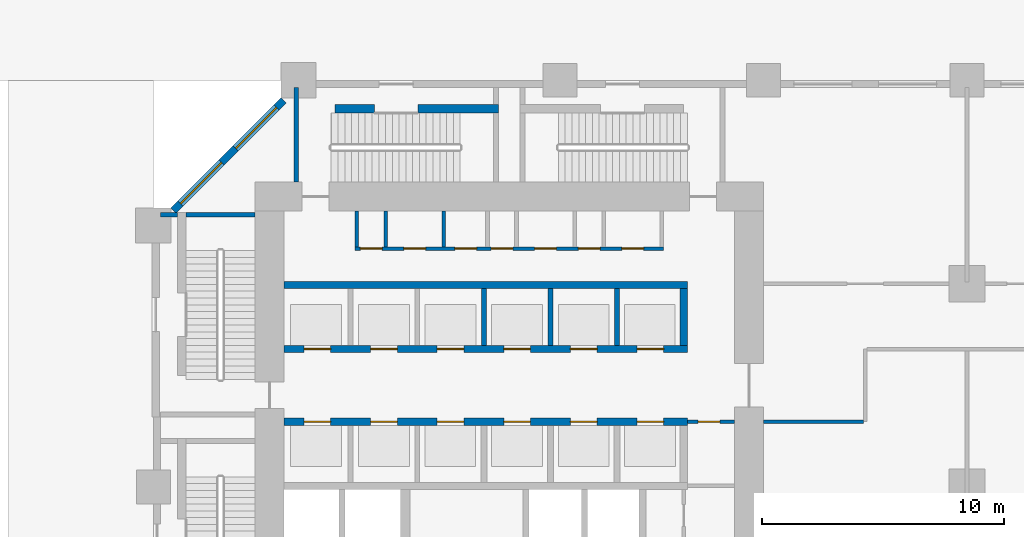
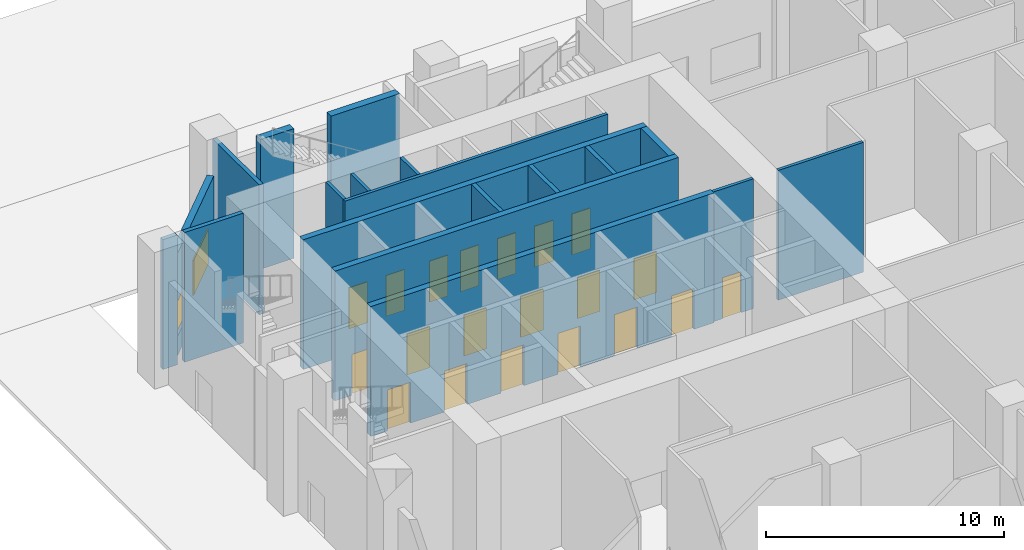
# One storey, part 19 of 32: 20 doors, 19 walls, 2 windows, 22 openings.
"""IFC4 building model written with IfcOpenShell, lengths in metres."""

from ifc_helpers import new_model, si_unit, direction, frame, frame_2d, origin, place, context, subcontext, project, spatial, rectangle, extrude, material, layer, layer_set, type_object, element, fill, save


model = new_model("IFC4")

# Units and contexts
model_context = context("Model", 3, precision=1e-05, world=origin(), true_north=direction((0.0, 1.0)))
body_context = subcontext(model_context, "Body", "Model", "MODEL_VIEW")
ifc_project = project(units=[si_unit("LENGTHUNIT", "METRE"), si_unit("AREAUNIT", "SQUARE_METRE"), si_unit("VOLUMEUNIT", "CUBIC_METRE"), si_unit("PLANEANGLEUNIT", "RADIAN"), si_unit("MASSUNIT", "GRAM", prefix="KILO")], contexts=[model_context])

# Site, building, storey
site_placement = place(None, origin())
site = spatial("IfcSite", under=ifc_project, at=site_placement, CompositionType="ELEMENT")
building_placement = place(site_placement, origin())
building = spatial("IfcBuilding", under=site, at=building_placement, Name="Kawkab Arch Medical Tower", CompositionType="ELEMENT")
storey_placement = place(building_placement, origin())
storey = spatial("IfcBuildingStorey", under=building, at=storey_placement, Name="L01", CompositionType="ELEMENT", Elevation=0.0)

# Wall, opening, door
ifc_material_1 = material(Name="Gypsum board on steel studs", Category="steel")
ifc_layer_1 = layer(ifc_material_1, 0.14990234375)
ifc_layer_set_1 = layer_set([ifc_layer_1], Name="Gypsum board on steel studs")
wall_type_1 = type_object("IfcWallType", Name="Core room partition 150", PredefinedType="PARTITIONING", material=ifc_layer_set_1)
wall_1_placement = place(storey_placement, frame((22.050048828125, -14.10009765625, 0.0), z_axis=(0.0, 0.0, 1.0), x_axis=(1.0, 0.0, 0.0)))
wall_1 = element("IfcWall", 1, at=wall_1_placement, inside=storey, type_object=wall_type_1, Name="L01 core room partition", PredefinedType="PARTITIONING", context=body_context, shape_type="SweptSolid", body=[
    extrude(rectangle(XDim=1.949951171875, YDim=0.14990234375, at=frame_2d((0.97509765625, 0.0))), origin(), (0.0, 0.0, 1.0), 6.64990234375),
])
opening_1_placement = place(wall_1_placement, frame((0.449951171875, 0.0, 0.0)))
opening_1 = element("IfcOpeningElement", 2, at=opening_1_placement, cuts=wall_1, Name="Opening RD", PredefinedType="OPENING", context=body_context, shape_type="SweptSolid", body=[
    extrude(rectangle(XDim=0.89990234375, YDim=2.10009765625, at=frame_2d((0.449951171875, 1.050048828125))), frame((0.0, 0.0849609375, 0.0), z_axis=(0.0, -1.0, 0.0), x_axis=(1.0, 0.0, 0.0)), (0.0, 0.0, 1.0), 0.169921875),
])
ifc_material_2 = material(Name="Hollow metal fire door leaf")
door_type_1 = type_object("IfcDoorType", Name="Core room door 900", OperationType="SINGLE_SWING_LEFT", PredefinedType="DOOR", material=ifc_material_2)
door_1_placement = place(opening_1_placement, origin())
door_1 = element("IfcDoor", 3, at=door_1_placement, inside=storey, type_object=door_type_1, Name="L01 Linen store door", OperationType="SINGLE_SWING_LEFT", OverallHeight=2.10009765625, OverallWidth=0.89990234375, PredefinedType="DOOR", context=body_context, shape_type="SweptSolid", body=[
    extrude(rectangle(XDim=0.89990234375, YDim=2.10009765625, at=frame_2d((0.449951171875, 1.050048828125))), frame((0.0, 0.02490234375, 0.0), z_axis=(0.0, -1.0, 0.0), x_axis=(1.0, 0.0, 0.0)), (0.0, 0.0, 1.0), 0.050048828125),
])
fill(opening_1, door_1)

# Wall, openings, doors
wall_2_placement = place(storey_placement, frame((8.324951171875, -6.949951171875, 0.0), z_axis=(0.0, 0.0, 1.0), x_axis=(1.0, 0.0, 0.0)))
wall_2 = element("IfcWall", 4, at=wall_2_placement, inside=storey, type_object=wall_type_1, Name="L01 core room partition", PredefinedType="PARTITIONING", context=body_context, shape_type="SweptSolid", body=[
    extrude(rectangle(XDim=12.75, YDim=0.14990234375, at=frame_2d((6.375, 0.0))), origin(), (0.0, 0.0, 1.0), 6.64990234375),
])
opening_2_placement = place(wall_2_placement, frame((0.22509765625, 0.0, 0.0)))
opening_2 = element("IfcOpeningElement", 5, at=opening_2_placement, cuts=wall_2, Name="Opening RD", PredefinedType="OPENING", context=body_context, shape_type="SweptSolid", body=[
    extrude(rectangle(XDim=0.89990234375, YDim=2.10009765625, at=frame_2d((0.449951171875, 1.050048828125))), frame((0.0, 0.0849609375, 0.0), z_axis=(0.0, -1.0, 0.0), x_axis=(1.0, 0.0, 0.0)), (0.0, 0.0, 1.0), 0.169921875),
])
opening_3_placement = place(wall_2_placement, frame((2.02490234375, 0.0, 0.0)))
opening_3 = element("IfcOpeningElement", 6, at=opening_3_placement, cuts=wall_2, Name="Opening RD", PredefinedType="OPENING", context=body_context, shape_type="SweptSolid", body=[
    extrude(rectangle(XDim=0.89990234375, YDim=2.10009765625, at=frame_2d((0.449951171875, 1.050048828125))), frame((0.0, 0.0849609375, 0.0), z_axis=(0.0, -1.0, 0.0), x_axis=(1.0, 0.0, 0.0)), (0.0, 0.0, 1.0), 0.169921875),
])
opening_4_placement = place(wall_2_placement, frame((4.125, 0.0, 0.0)))
opening_4 = element("IfcOpeningElement", 7, at=opening_4_placement, cuts=wall_2, Name="Opening RD", PredefinedType="OPENING", context=body_context, shape_type="SweptSolid", body=[
    extrude(rectangle(XDim=0.89990234375, YDim=2.10009765625, at=frame_2d((0.449951171875, 1.050048828125))), frame((0.0, 0.0849609375, 0.0), z_axis=(0.0, -1.0, 0.0), x_axis=(1.0, 0.0, 0.0)), (0.0, 0.0, 1.0), 0.169921875),
])
opening_5_placement = place(wall_2_placement, frame((5.625, 0.0, 0.0)))
opening_5 = element("IfcOpeningElement", 8, at=opening_5_placement, cuts=wall_2, Name="Opening RD", PredefinedType="OPENING", context=body_context, shape_type="SweptSolid", body=[
    extrude(rectangle(XDim=0.89990234375, YDim=2.10009765625, at=frame_2d((0.449951171875, 1.050048828125))), frame((0.0, 0.0849609375, 0.0), z_axis=(0.0, -1.0, 0.0), x_axis=(1.0, 0.0, 0.0)), (0.0, 0.0, 1.0), 0.169921875),
])
opening_6_placement = place(wall_2_placement, frame((7.425048828125, 0.0, 0.0)))
opening_6 = element("IfcOpeningElement", 9, at=opening_6_placement, cuts=wall_2, Name="Opening RD", PredefinedType="OPENING", context=body_context, shape_type="SweptSolid", body=[
    extrude(rectangle(XDim=0.89990234375, YDim=2.10009765625, at=frame_2d((0.449951171875, 1.050048828125))), frame((0.0, 0.0849609375, 0.0), z_axis=(0.0, -1.0, 0.0), x_axis=(1.0, 0.0, 0.0)), (0.0, 0.0, 1.0), 0.169921875),
])
opening_7_placement = place(wall_2_placement, frame((9.22509765625, 0.0, 0.0)))
opening_7 = element("IfcOpeningElement", 10, at=opening_7_placement, cuts=wall_2, Name="Opening RD", PredefinedType="OPENING", context=body_context, shape_type="SweptSolid", body=[
    extrude(rectangle(XDim=0.89990234375, YDim=2.10009765625, at=frame_2d((0.449951171875, 1.050048828125))), frame((0.0, 0.0849609375, 0.0), z_axis=(0.0, -1.0, 0.0), x_axis=(1.0, 0.0, 0.0)), (0.0, 0.0, 1.0), 0.169921875),
])
opening_8_placement = place(wall_2_placement, frame((11.02490234375, 0.0, 0.0)))
opening_8 = element("IfcOpeningElement", 11, at=opening_8_placement, cuts=wall_2, Name="Opening RD", PredefinedType="OPENING", context=body_context, shape_type="SweptSolid", body=[
    extrude(rectangle(XDim=0.89990234375, YDim=2.10009765625, at=frame_2d((0.449951171875, 1.050048828125))), frame((0.0, 0.0849609375, 0.0), z_axis=(0.0, -1.0, 0.0), x_axis=(1.0, 0.0, 0.0)), (0.0, 0.0, 1.0), 0.169921875),
])
door_2_placement = place(opening_2_placement, origin())
door_2 = element("IfcDoor", 12, at=door_2_placement, inside=storey, type_object=door_type_1, Name="L01 Electrical riser room door", OperationType="SINGLE_SWING_LEFT", OverallHeight=2.10009765625, OverallWidth=0.89990234375, PredefinedType="DOOR", context=body_context, shape_type="SweptSolid", body=[
    extrude(rectangle(XDim=0.89990234375, YDim=2.10009765625, at=frame_2d((0.449951171875, 1.050048828125))), frame((0.0, 0.02490234375, 0.0), z_axis=(0.0, -1.0, 0.0), x_axis=(1.0, 0.0, 0.0)), (0.0, 0.0, 1.0), 0.050048828125),
])
fill(opening_2, door_2)
door_3_placement = place(opening_3_placement, origin())
door_3 = element("IfcDoor", 13, at=door_3_placement, inside=storey, type_object=door_type_1, Name="L01 Comms room door", OperationType="SINGLE_SWING_LEFT", OverallHeight=2.10009765625, OverallWidth=0.89990234375, PredefinedType="DOOR", context=body_context, shape_type="SweptSolid", body=[
    extrude(rectangle(XDim=0.89990234375, YDim=2.10009765625, at=frame_2d((0.449951171875, 1.050048828125))), frame((0.0, 0.02490234375, 0.0), z_axis=(0.0, -1.0, 0.0), x_axis=(1.0, 0.0, 0.0)), (0.0, 0.0, 1.0), 0.050048828125),
])
fill(opening_3, door_3)
door_4_placement = place(opening_4_placement, origin())
door_4 = element("IfcDoor", 14, at=door_4_placement, inside=storey, type_object=door_type_1, Name="L01 Medical gas plant room door", OperationType="SINGLE_SWING_LEFT", OverallHeight=2.10009765625, OverallWidth=0.89990234375, PredefinedType="DOOR", context=body_context, shape_type="SweptSolid", body=[
    extrude(rectangle(XDim=0.89990234375, YDim=2.10009765625, at=frame_2d((0.449951171875, 1.050048828125))), frame((0.0, 0.02490234375, 0.0), z_axis=(0.0, -1.0, 0.0), x_axis=(1.0, 0.0, 0.0)), (0.0, 0.0, 1.0), 0.050048828125),
])
fill(opening_4, door_4)
door_5_placement = place(opening_5_placement, origin())
door_5 = element("IfcDoor", 15, at=door_5_placement, inside=storey, type_object=door_type_1, Name="L01 Sprinkler valve room door", OperationType="SINGLE_SWING_LEFT", OverallHeight=2.10009765625, OverallWidth=0.89990234375, PredefinedType="DOOR", context=body_context, shape_type="SweptSolid", body=[
    extrude(rectangle(XDim=0.89990234375, YDim=2.10009765625, at=frame_2d((0.449951171875, 1.050048828125))), frame((0.0, 0.02490234375, 0.0), z_axis=(0.0, -1.0, 0.0), x_axis=(1.0, 0.0, 0.0)), (0.0, 0.0, 1.0), 0.050048828125),
])
fill(opening_5, door_5)
door_6_placement = place(opening_6_placement, origin())
door_6 = element("IfcDoor", 16, at=door_6_placement, inside=storey, type_object=door_type_1, Name="L01 Housekeeping store door", OperationType="SINGLE_SWING_LEFT", OverallHeight=2.10009765625, OverallWidth=0.89990234375, PredefinedType="DOOR", context=body_context, shape_type="SweptSolid", body=[
    extrude(rectangle(XDim=0.89990234375, YDim=2.10009765625, at=frame_2d((0.449951171875, 1.050048828125))), frame((0.0, 0.02490234375, 0.0), z_axis=(0.0, -1.0, 0.0), x_axis=(1.0, 0.0, 0.0)), (0.0, 0.0, 1.0), 0.050048828125),
])
fill(opening_6, door_6)
door_7_placement = place(opening_7_placement, origin())
door_7 = element("IfcDoor", 17, at=door_7_placement, inside=storey, type_object=door_type_1, Name="L01 Electrical riser room door", OperationType="SINGLE_SWING_LEFT", OverallHeight=2.10009765625, OverallWidth=0.89990234375, PredefinedType="DOOR", context=body_context, shape_type="SweptSolid", body=[
    extrude(rectangle(XDim=0.89990234375, YDim=2.10009765625, at=frame_2d((0.449951171875, 1.050048828125))), frame((0.0, 0.02490234375, 0.0), z_axis=(0.0, -1.0, 0.0), x_axis=(1.0, 0.0, 0.0)), (0.0, 0.0, 1.0), 0.050048828125),
])
fill(opening_7, door_7)
door_8_placement = place(opening_8_placement, origin())
door_8 = element("IfcDoor", 18, at=door_8_placement, inside=storey, type_object=door_type_1, Name="L01 General store door", OperationType="SINGLE_SWING_LEFT", OverallHeight=2.10009765625, OverallWidth=0.89990234375, PredefinedType="DOOR", context=body_context, shape_type="SweptSolid", body=[
    extrude(rectangle(XDim=0.89990234375, YDim=2.10009765625, at=frame_2d((0.449951171875, 1.050048828125))), frame((0.0, 0.02490234375, 0.0), z_axis=(0.0, -1.0, 0.0), x_axis=(1.0, 0.0, 0.0)), (0.0, 0.0, 1.0), 0.050048828125),
])
fill(opening_8, door_8)

# Walls
for number, where, z_axis, x_axis, name in (
    (19, (8.39990234375, -6.875, 0.0), (0.0, 0.0, 1.0), (0.0, 1.0, 0.0), "L01 core room partition"),
    (20, (9.60009765625, -6.875, 0.0), (0.0, 0.0, 1.0), (0.0, 1.0, 0.0), "L01 core room partition"),
    (21, (12.0, -6.875, 0.0), (0.0, 0.0, 1.0), (0.0, 1.0, 0.0), "L01 core room partition"),
):
    element("IfcWall", number, at=place(storey_placement, frame(where, z_axis=z_axis, x_axis=x_axis)), inside=storey, type_object=wall_type_1, Name=name, PredefinedType="PARTITIONING", context=body_context, shape_type="SweptSolid", body=[
        extrude(rectangle(XDim=1.47509765625, YDim=0.14990234375, at=frame_2d((0.737548828125, 0.0))), origin(), (0.0, 0.0, 1.0), 6.64990234375),
    ])
ifc_material_3 = material(Name="Concrete C60/75", Category="concrete")
ifc_layer_2 = layer(ifc_material_3, 0.300048828125)
ifc_layer_set_2 = layer_set([ifc_layer_2], Name="Concrete C60/75")
wall_type_2 = type_object("IfcWallType", Name="Core shear wall 300 C60/75", PredefinedType="SHEAR", material=ifc_layer_set_2)
wall_3_placement = place(storey_placement, frame((5.39990234375, -8.449951171875, 0.0), z_axis=(0.0, 0.0, 1.0), x_axis=(1.0, 0.0, 0.0)))
element("IfcWall", 22, at=wall_3_placement, inside=storey, type_object=wall_type_2, Name="L01 core shear wall", PredefinedType="SHEAR", context=body_context, shape_type="SweptSolid", body=[
    extrude(rectangle(XDim=16.650146484375, YDim=0.300048828125, at=frame_2d((8.3251953125, 0.0))), origin(), (0.0, 0.0, 1.0), 6.64990234375),
])

# Wall, openings, doors
wall_4_placement = place(storey_placement, frame((5.39990234375, -11.10009765625, 0.0), z_axis=(0.0, 0.0, 1.0), x_axis=(1.0, 0.0, 0.0)))
wall_4 = element("IfcWall", 23, at=wall_4_placement, inside=storey, type_object=wall_type_2, Name="L01 core shear wall", PredefinedType="SHEAR", context=body_context, shape_type="SweptSolid", body=[
    extrude(rectangle(XDim=16.650146484375, YDim=0.300048828125, at=frame_2d((8.3251953125, 0.0))), origin(), (0.0, 0.0, 1.0), 6.64990234375),
])
opening_9_placement = place(wall_4_placement, frame((0.824951171875, 0.0, 0.0)))
opening_9 = element("IfcOpeningElement", 24, at=opening_9_placement, cuts=wall_4, Name="Opening LD1", PredefinedType="OPENING", context=body_context, shape_type="SweptSolid", body=[
    extrude(rectangle(XDim=1.10009765625, YDim=2.10009765625, at=frame_2d((0.550048828125, 1.050048828125))), frame((0.0, 0.159912109375, 0.0), z_axis=(0.0, -1.0, 0.0), x_axis=(1.0, 0.0, 0.0)), (0.0, 0.0, 1.0), 0.320068359375),
])
opening_10_placement = place(wall_4_placement, frame((3.574951171875, 0.0, 0.0)))
opening_10 = element("IfcOpeningElement", 25, at=opening_10_placement, cuts=wall_4, Name="Opening LD1", PredefinedType="OPENING", context=body_context, shape_type="SweptSolid", body=[
    extrude(rectangle(XDim=1.10009765625, YDim=2.10009765625, at=frame_2d((0.550048828125, 1.050048828125))), frame((0.0, 0.159912109375, 0.0), z_axis=(0.0, -1.0, 0.0), x_axis=(1.0, 0.0, 0.0)), (0.0, 0.0, 1.0), 0.320068359375),
])
opening_11_placement = place(wall_4_placement, frame((6.324951171875, 0.0, 0.0)))
opening_11 = element("IfcOpeningElement", 26, at=opening_11_placement, cuts=wall_4, Name="Opening LD1", PredefinedType="OPENING", context=body_context, shape_type="SweptSolid", body=[
    extrude(rectangle(XDim=1.10009765625, YDim=2.10009765625, at=frame_2d((0.550048828125, 1.050048828125))), frame((0.0, 0.159912109375, 0.0), z_axis=(0.0, -1.0, 0.0), x_axis=(1.0, 0.0, 0.0)), (0.0, 0.0, 1.0), 0.320068359375),
])
opening_12_placement = place(wall_4_placement, frame((9.074951171875, 0.0, 0.0)))
opening_12 = element("IfcOpeningElement", 27, at=opening_12_placement, cuts=wall_4, Name="Opening LD1", PredefinedType="OPENING", context=body_context, shape_type="SweptSolid", body=[
    extrude(rectangle(XDim=1.10009765625, YDim=2.10009765625, at=frame_2d((0.550048828125, 1.050048828125))), frame((0.0, 0.159912109375, 0.0), z_axis=(0.0, -1.0, 0.0), x_axis=(1.0, 0.0, 0.0)), (0.0, 0.0, 1.0), 0.320068359375),
])
opening_13_placement = place(wall_4_placement, frame((11.824951171875, 0.0, 0.0)))
opening_13 = element("IfcOpeningElement", 28, at=opening_13_placement, cuts=wall_4, Name="Opening LD1", PredefinedType="OPENING", context=body_context, shape_type="SweptSolid", body=[
    extrude(rectangle(XDim=1.10009765625, YDim=2.10009765625, at=frame_2d((0.550048828125, 1.050048828125))), frame((0.0, 0.159912109375, 0.0), z_axis=(0.0, -1.0, 0.0), x_axis=(1.0, 0.0, 0.0)), (0.0, 0.0, 1.0), 0.320068359375),
])
opening_14_placement = place(wall_4_placement, frame((14.574951171875, 0.0, 0.0)))
opening_14 = element("IfcOpeningElement", 29, at=opening_14_placement, cuts=wall_4, Name="Opening LD1", PredefinedType="OPENING", context=body_context, shape_type="SweptSolid", body=[
    extrude(rectangle(XDim=1.10009765625, YDim=2.10009765625, at=frame_2d((0.550048828125, 1.050048828125))), frame((0.0, 0.159912109375, 0.0), z_axis=(0.0, -1.0, 0.0), x_axis=(1.0, 0.0, 0.0)), (0.0, 0.0, 1.0), 0.320068359375),
])
ifc_material_4 = material(Name="Stainless steel lift door leaf", Category="steel")
door_type_2 = type_object("IfcDoorType", Name="Lift landing door 1100", OperationType="DOUBLE_DOOR_SLIDING", PredefinedType="DOOR", material=ifc_material_4)
door_9_placement = place(opening_9_placement, origin())
door_9 = element("IfcDoor", 30, at=door_9_placement, inside=storey, type_object=door_type_2, Name="L01 Lift landing door LP1", OperationType="DOUBLE_DOOR_SLIDING", OverallHeight=2.10009765625, OverallWidth=1.10009765625, PredefinedType="DOOR", context=body_context, shape_type="SweptSolid", body=[
    extrude(rectangle(XDim=1.10009765625, YDim=2.10009765625, at=frame_2d((0.550048828125, 1.050048828125))), frame((0.0, 0.02490234375, 0.0), z_axis=(0.0, -1.0, 0.0), x_axis=(1.0, 0.0, 0.0)), (0.0, 0.0, 1.0), 0.050048828125),
])
fill(opening_9, door_9)
door_10_placement = place(opening_10_placement, origin())
door_10 = element("IfcDoor", 31, at=door_10_placement, inside=storey, type_object=door_type_2, Name="L01 Lift landing door LP2", OperationType="DOUBLE_DOOR_SLIDING", OverallHeight=2.10009765625, OverallWidth=1.10009765625, PredefinedType="DOOR", context=body_context, shape_type="SweptSolid", body=[
    extrude(rectangle(XDim=1.10009765625, YDim=2.10009765625, at=frame_2d((0.550048828125, 1.050048828125))), frame((0.0, 0.02490234375, 0.0), z_axis=(0.0, -1.0, 0.0), x_axis=(1.0, 0.0, 0.0)), (0.0, 0.0, 1.0), 0.050048828125),
])
fill(opening_10, door_10)
door_11_placement = place(opening_11_placement, origin())
door_11 = element("IfcDoor", 32, at=door_11_placement, inside=storey, type_object=door_type_2, Name="L01 Lift landing door LP3", OperationType="DOUBLE_DOOR_SLIDING", OverallHeight=2.10009765625, OverallWidth=1.10009765625, PredefinedType="DOOR", context=body_context, shape_type="SweptSolid", body=[
    extrude(rectangle(XDim=1.10009765625, YDim=2.10009765625, at=frame_2d((0.550048828125, 1.050048828125))), frame((0.0, 0.02490234375, 0.0), z_axis=(0.0, -1.0, 0.0), x_axis=(1.0, 0.0, 0.0)), (0.0, 0.0, 1.0), 0.050048828125),
])
fill(opening_11, door_11)
door_12_placement = place(opening_12_placement, origin())
door_12 = element("IfcDoor", 33, at=door_12_placement, inside=storey, type_object=door_type_2, Name="L01 Lift landing door LP4", OperationType="DOUBLE_DOOR_SLIDING", OverallHeight=2.10009765625, OverallWidth=1.10009765625, PredefinedType="DOOR", context=body_context, shape_type="SweptSolid", body=[
    extrude(rectangle(XDim=1.10009765625, YDim=2.10009765625, at=frame_2d((0.550048828125, 1.050048828125))), frame((0.0, 0.02490234375, 0.0), z_axis=(0.0, -1.0, 0.0), x_axis=(1.0, 0.0, 0.0)), (0.0, 0.0, 1.0), 0.050048828125),
])
fill(opening_12, door_12)
door_13_placement = place(opening_13_placement, origin())
door_13 = element("IfcDoor", 34, at=door_13_placement, inside=storey, type_object=door_type_2, Name="L01 Lift landing door MP1", OperationType="DOUBLE_DOOR_SLIDING", OverallHeight=2.10009765625, OverallWidth=1.10009765625, PredefinedType="DOOR", context=body_context, shape_type="SweptSolid", body=[
    extrude(rectangle(XDim=1.10009765625, YDim=2.10009765625, at=frame_2d((0.550048828125, 1.050048828125))), frame((0.0, 0.02490234375, 0.0), z_axis=(0.0, -1.0, 0.0), x_axis=(1.0, 0.0, 0.0)), (0.0, 0.0, 1.0), 0.050048828125),
])
fill(opening_13, door_13)
door_14_placement = place(opening_14_placement, origin())
door_14 = element("IfcDoor", 35, at=door_14_placement, inside=storey, type_object=door_type_2, Name="L01 Lift landing door MP2", OperationType="DOUBLE_DOOR_SLIDING", OverallHeight=2.10009765625, OverallWidth=1.10009765625, PredefinedType="DOOR", context=body_context, shape_type="SweptSolid", body=[
    extrude(rectangle(XDim=1.10009765625, YDim=2.10009765625, at=frame_2d((0.550048828125, 1.050048828125))), frame((0.0, 0.02490234375, 0.0), z_axis=(0.0, -1.0, 0.0), x_axis=(1.0, 0.0, 0.0)), (0.0, 0.0, 1.0), 0.050048828125),
])
fill(opening_14, door_14)

wall_5_placement = place(storey_placement, frame((5.39990234375, -14.10009765625, 0.0), z_axis=(0.0, 0.0, 1.0), x_axis=(1.0, 0.0, 0.0)))
wall_5 = element("IfcWall", 36, at=wall_5_placement, inside=storey, type_object=wall_type_2, Name="L01 core shear wall", PredefinedType="SHEAR", context=body_context, shape_type="SweptSolid", body=[
    extrude(rectangle(XDim=16.650146484375, YDim=0.300048828125, at=frame_2d((8.3251953125, 0.0))), origin(), (0.0, 0.0, 1.0), 6.64990234375),
])
opening_15_placement = place(wall_5_placement, frame((0.824951171875, 0.0, 0.0)))
opening_15 = element("IfcOpeningElement", 37, at=opening_15_placement, cuts=wall_5, Name="Opening LD1", PredefinedType="OPENING", context=body_context, shape_type="SweptSolid", body=[
    extrude(rectangle(XDim=1.10009765625, YDim=2.10009765625, at=frame_2d((0.550048828125, 1.050048828125))), frame((0.0, 0.159912109375, 0.0), z_axis=(0.0, -1.0, 0.0), x_axis=(1.0, 0.0, 0.0)), (0.0, 0.0, 1.0), 0.320068359375),
])
opening_16_placement = place(wall_5_placement, frame((3.574951171875, 0.0, 0.0)))
opening_16 = element("IfcOpeningElement", 38, at=opening_16_placement, cuts=wall_5, Name="Opening LD1", PredefinedType="OPENING", context=body_context, shape_type="SweptSolid", body=[
    extrude(rectangle(XDim=1.10009765625, YDim=2.10009765625, at=frame_2d((0.550048828125, 1.050048828125))), frame((0.0, 0.159912109375, 0.0), z_axis=(0.0, -1.0, 0.0), x_axis=(1.0, 0.0, 0.0)), (0.0, 0.0, 1.0), 0.320068359375),
])
opening_17_placement = place(wall_5_placement, frame((6.324951171875, 0.0, 0.0)))
opening_17 = element("IfcOpeningElement", 39, at=opening_17_placement, cuts=wall_5, Name="Opening LD1", PredefinedType="OPENING", context=body_context, shape_type="SweptSolid", body=[
    extrude(rectangle(XDim=1.10009765625, YDim=2.10009765625, at=frame_2d((0.550048828125, 1.050048828125))), frame((0.0, 0.159912109375, 0.0), z_axis=(0.0, -1.0, 0.0), x_axis=(1.0, 0.0, 0.0)), (0.0, 0.0, 1.0), 0.320068359375),
])
opening_18_placement = place(wall_5_placement, frame((9.074951171875, 0.0, 0.0)))
opening_18 = element("IfcOpeningElement", 40, at=opening_18_placement, cuts=wall_5, Name="Opening LD1", PredefinedType="OPENING", context=body_context, shape_type="SweptSolid", body=[
    extrude(rectangle(XDim=1.10009765625, YDim=2.10009765625, at=frame_2d((0.550048828125, 1.050048828125))), frame((0.0, 0.159912109375, 0.0), z_axis=(0.0, -1.0, 0.0), x_axis=(1.0, 0.0, 0.0)), (0.0, 0.0, 1.0), 0.320068359375),
])
opening_19_placement = place(wall_5_placement, frame((11.824951171875, 0.0, 0.0)))
opening_19 = element("IfcOpeningElement", 41, at=opening_19_placement, cuts=wall_5, Name="Opening LD1", PredefinedType="OPENING", context=body_context, shape_type="SweptSolid", body=[
    extrude(rectangle(XDim=1.10009765625, YDim=2.10009765625, at=frame_2d((0.550048828125, 1.050048828125))), frame((0.0, 0.159912109375, 0.0), z_axis=(0.0, -1.0, 0.0), x_axis=(1.0, 0.0, 0.0)), (0.0, 0.0, 1.0), 0.320068359375),
])
opening_20_placement = place(wall_5_placement, frame((14.574951171875, 0.0, 0.0)))
opening_20 = element("IfcOpeningElement", 42, at=opening_20_placement, cuts=wall_5, Name="Opening LD1", PredefinedType="OPENING", context=body_context, shape_type="SweptSolid", body=[
    extrude(rectangle(XDim=1.10009765625, YDim=2.10009765625, at=frame_2d((0.550048828125, 1.050048828125))), frame((0.0, 0.159912109375, 0.0), z_axis=(0.0, -1.0, 0.0), x_axis=(1.0, 0.0, 0.0)), (0.0, 0.0, 1.0), 0.320068359375),
])
door_15_placement = place(opening_15_placement, origin())
door_15 = element("IfcDoor", 43, at=door_15_placement, inside=storey, type_object=door_type_2, Name="L01 Lift landing door MP3", OperationType="DOUBLE_DOOR_SLIDING", OverallHeight=2.10009765625, OverallWidth=1.10009765625, PredefinedType="DOOR", context=body_context, shape_type="SweptSolid", body=[
    extrude(rectangle(XDim=1.10009765625, YDim=2.10009765625, at=frame_2d((0.550048828125, 1.050048828125))), frame((0.0, 0.02490234375, 0.0), z_axis=(0.0, -1.0, 0.0), x_axis=(1.0, 0.0, 0.0)), (0.0, 0.0, 1.0), 0.050048828125),
])
fill(opening_15, door_15)
door_16_placement = place(opening_16_placement, origin())
door_16 = element("IfcDoor", 44, at=door_16_placement, inside=storey, type_object=door_type_2, Name="L01 Lift landing door MP4", OperationType="DOUBLE_DOOR_SLIDING", OverallHeight=2.10009765625, OverallWidth=1.10009765625, PredefinedType="DOOR", context=body_context, shape_type="SweptSolid", body=[
    extrude(rectangle(XDim=1.10009765625, YDim=2.10009765625, at=frame_2d((0.550048828125, 1.050048828125))), frame((0.0, 0.02490234375, 0.0), z_axis=(0.0, -1.0, 0.0), x_axis=(1.0, 0.0, 0.0)), (0.0, 0.0, 1.0), 0.050048828125),
])
fill(opening_16, door_16)
door_17_placement = place(opening_17_placement, origin())
door_17 = element("IfcDoor", 45, at=door_17_placement, inside=storey, type_object=door_type_2, Name="L01 Lift landing door HP1", OperationType="DOUBLE_DOOR_SLIDING", OverallHeight=2.10009765625, OverallWidth=1.10009765625, PredefinedType="DOOR", context=body_context, shape_type="SweptSolid", body=[
    extrude(rectangle(XDim=1.10009765625, YDim=2.10009765625, at=frame_2d((0.550048828125, 1.050048828125))), frame((0.0, 0.02490234375, 0.0), z_axis=(0.0, -1.0, 0.0), x_axis=(1.0, 0.0, 0.0)), (0.0, 0.0, 1.0), 0.050048828125),
])
fill(opening_17, door_17)
door_18_placement = place(opening_18_placement, origin())
door_18 = element("IfcDoor", 46, at=door_18_placement, inside=storey, type_object=door_type_2, Name="L01 Lift landing door HP2", OperationType="DOUBLE_DOOR_SLIDING", OverallHeight=2.10009765625, OverallWidth=1.10009765625, PredefinedType="DOOR", context=body_context, shape_type="SweptSolid", body=[
    extrude(rectangle(XDim=1.10009765625, YDim=2.10009765625, at=frame_2d((0.550048828125, 1.050048828125))), frame((0.0, 0.02490234375, 0.0), z_axis=(0.0, -1.0, 0.0), x_axis=(1.0, 0.0, 0.0)), (0.0, 0.0, 1.0), 0.050048828125),
])
fill(opening_18, door_18)
door_19_placement = place(opening_19_placement, origin())
door_19 = element("IfcDoor", 47, at=door_19_placement, inside=storey, type_object=door_type_2, Name="L01 Lift landing door HP3", OperationType="DOUBLE_DOOR_SLIDING", OverallHeight=2.10009765625, OverallWidth=1.10009765625, PredefinedType="DOOR", context=body_context, shape_type="SweptSolid", body=[
    extrude(rectangle(XDim=1.10009765625, YDim=2.10009765625, at=frame_2d((0.550048828125, 1.050048828125))), frame((0.0, 0.02490234375, 0.0), z_axis=(0.0, -1.0, 0.0), x_axis=(1.0, 0.0, 0.0)), (0.0, 0.0, 1.0), 0.050048828125),
])
fill(opening_19, door_19)
door_20_placement = place(opening_20_placement, origin())
door_20 = element("IfcDoor", 48, at=door_20_placement, inside=storey, type_object=door_type_2, Name="L01 Lift landing door HP4", OperationType="DOUBLE_DOOR_SLIDING", OverallHeight=2.10009765625, OverallWidth=1.10009765625, PredefinedType="DOOR", context=body_context, shape_type="SweptSolid", body=[
    extrude(rectangle(XDim=1.10009765625, YDim=2.10009765625, at=frame_2d((0.550048828125, 1.050048828125))), frame((0.0, 0.02490234375, 0.0), z_axis=(0.0, -1.0, 0.0), x_axis=(1.0, 0.0, 0.0)), (0.0, 0.0, 1.0), 0.050048828125),
])
fill(opening_20, door_20)

# Walls
wall_6_placement = place(storey_placement, frame((21.89990234375, -10.949951171875, 0.0), z_axis=(0.0, 0.0, 1.0), x_axis=(0.0, 1.0, 0.0)))
element("IfcWall", 49, at=wall_6_placement, inside=storey, type_object=wall_type_2, Name="L01 core shear wall", PredefinedType="SHEAR", context=body_context, shape_type="SweptSolid", body=[
    extrude(rectangle(XDim=2.349853515625, YDim=0.300048828125, at=frame_2d((1.1748046875, 0.0))), origin(), (0.0, 0.0, 1.0), 6.64990234375),
])
ifc_material_5 = material(Name="Dense concrete blockwork", Category="masonry")
ifc_layer_3 = layer(ifc_material_5, 0.199951171875)
ifc_layer_set_3 = layer_set([ifc_layer_3], Name="Dense concrete blockwork")
wall_type_3 = type_object("IfcWallType", Name="Lift shaft partition 200", PredefinedType="PARTITIONING", material=ifc_layer_set_3)
for number, where, z_axis, x_axis, name in (
    (50, (13.64990234375, -10.949951171875, 0.0), (0.0, 0.0, 1.0), (0.0, 1.0, 0.0), "L01 lift shaft partition"),
    (51, (16.39990234375, -10.949951171875, 0.0), (0.0, 0.0, 1.0), (0.0, 1.0, 0.0), "L01 lift shaft partition"),
    (52, (19.14990234375, -10.949951171875, 0.0), (0.0, 0.0, 1.0), (0.0, 1.0, 0.0), "L01 lift shaft partition"),
):
    element("IfcWall", number, at=place(storey_placement, frame(where, z_axis=z_axis, x_axis=x_axis)), inside=storey, type_object=wall_type_3, Name=name, PredefinedType="PARTITIONING", context=body_context, shape_type="SweptSolid", body=[
        extrude(rectangle(XDim=2.349853515625, YDim=0.199951171875, at=frame_2d((1.1748046875, 0.0))), origin(), (0.0, 0.0, 1.0), 6.64990234375),
    ])
ifc_material_6 = material(Name="Gypsum board partition on steel studs, mineral wool", Category="steel")
ifc_layer_4 = layer(ifc_material_6, 0.14990234375)
ifc_layer_set_4 = layer_set([ifc_layer_4], Name="Gypsum board partition on steel studs, mineral wool")
wall_type_4 = type_object("IfcWallType", Name="Partition 150", PredefinedType="PARTITIONING", material=ifc_layer_set_4)
wall_7_placement = place(storey_placement, frame((25.199951171875, -14.10009765625, 0.0), z_axis=(0.0, 0.0, 1.0), x_axis=(1.0, 0.0, 0.0)))
element("IfcWall", 53, at=wall_7_placement, inside=storey, type_object=wall_type_4, Name="Partition 150 w032", PredefinedType="PARTITIONING", context=body_context, shape_type="SweptSolid", body=[
    extrude(rectangle(XDim=4.125, YDim=0.14990234375, at=frame_2d((2.0625, 0.0))), origin(), (0.0, 0.0, 1.0), 6.64990234375),
])

# Wall, openings, windows
ifc_material_7 = material(Name="Bronze clad insulated wall panel")
ifc_layer_5 = layer(ifc_material_7, 0.300048828125)
ifc_layer_set_5 = layer_set([ifc_layer_5], Name="Bronze clad insulated wall panel")
wall_type_5 = type_object("IfcWallType", Name="Podium external wall 300", PredefinedType="SOLIDWALL", material=ifc_layer_set_5)
wall_8_placement = place(storey_placement, frame((5.381103515625, -0.8310546875, 0.0), z_axis=(0.0, 0.0, 1.0), x_axis=(-0.707106781187, -0.707106781187, 0.0)))
wall_8 = element("IfcWall", 54, at=wall_8_placement, inside=storey, type_object=wall_type_5, Name="External wall L01 R07.1", PredefinedType="SOLIDWALL", context=body_context, shape_type="SweptSolid", body=[
    extrude(rectangle(XDim=6.434814453125, YDim=0.300048828125, at=frame_2d((3.21728515625, 0.0))), origin(), (0.0, 0.0, 1.0), 5.25),
])
opening_21_placement = place(wall_8_placement, frame((0.40869140625, 0.0, 1.0)))
opening_21 = element("IfcOpeningElement", 55, at=opening_21_placement, cuts=wall_8, Name="Opening PWN240-18-S10", PredefinedType="OPENING", context=body_context, shape_type="SweptSolid", body=[
    extrude(rectangle(XDim=2.39990234375, YDim=1.800048828125, at=frame_2d((1.199951171875, 0.89990234375))), frame((0.0, 0.159912109375, 0.0), z_axis=(0.0, -1.0, 0.0), x_axis=(1.0, 0.0, 0.0)), (0.0, 0.0, 1.0), 0.320068359375),
])
opening_22_placement = place(wall_8_placement, frame((3.6259765625, 0.0, 1.0)))
opening_22 = element("IfcOpeningElement", 56, at=opening_22_placement, cuts=wall_8, Name="Opening PWN240-18-S10", PredefinedType="OPENING", context=body_context, shape_type="SweptSolid", body=[
    extrude(rectangle(XDim=2.39990234375, YDim=1.800048828125, at=frame_2d((1.199951171875, 0.89990234375))), frame((0.0, 0.159912109375, 0.0), z_axis=(0.0, -1.0, 0.0), x_axis=(1.0, 0.0, 0.0)), (0.0, 0.0, 1.0), 0.320068359375),
])
ifc_material_8 = material(Name="Bronze anodised aluminium louvred window", Category="aluminium")
window_type = type_object("IfcWindowType", Name="Podium window 2400 x 1800 sill 1000", PartitioningType="DOUBLE_PANEL_VERTICAL", PredefinedType="WINDOW", material=ifc_material_8)
window_1_placement = place(opening_21_placement, origin())
window_1 = element("IfcWindow", 57, at=window_1_placement, inside=storey, type_object=window_type, Name="Window L01 R07.1.1", OverallHeight=1.800048828125, OverallWidth=2.39990234375, PartitioningType="SINGLE_PANEL", PredefinedType="WINDOW", context=body_context, shape_type="SweptSolid", body=[
    extrude(rectangle(XDim=2.39990234375, YDim=1.800048828125, at=frame_2d((1.199951171875, 0.89990234375))), frame((0.0, 0.030029296875, 0.0), z_axis=(0.0, -1.0, 0.0), x_axis=(1.0, 0.0, 0.0)), (0.0, 0.0, 1.0), 0.06005859375),
])
fill(opening_21, window_1)
window_2_placement = place(opening_22_placement, origin())
window_2 = element("IfcWindow", 58, at=window_2_placement, inside=storey, type_object=window_type, Name="Window L01 R07.1.2", OverallHeight=1.800048828125, OverallWidth=2.39990234375, PartitioningType="SINGLE_PANEL", PredefinedType="WINDOW", context=body_context, shape_type="SweptSolid", body=[
    extrude(rectangle(XDim=2.39990234375, YDim=1.800048828125, at=frame_2d((1.199951171875, 0.89990234375))), frame((0.0, 0.030029296875, 0.0), z_axis=(0.0, -1.0, 0.0), x_axis=(1.0, 0.0, 0.0)), (0.0, 0.0, 1.0), 0.06005859375),
])
fill(opening_22, window_2)

# Walls
ifc_material_9 = material(Name="Concrete C50/60", Category="concrete")
ifc_layer_6 = layer(ifc_material_9, 0.199951171875)
ifc_layer_set_6 = layer_set([ifc_layer_6], Name="Concrete C50/60")
wall_type_6 = type_object("IfcWallType", Name="Stair enclosure wall 200 C50/60", PredefinedType="SHEAR", material=ifc_layer_set_6)
wall_9_placement = place(storey_placement, frame((0.300048828125, -5.550048828125, 0.0), z_axis=(0.0, 0.0, 1.0), x_axis=(1.0, 0.0, 0.0)))
element("IfcWall", 59, at=wall_9_placement, inside=storey, type_object=wall_type_6, Name="L01 stair enclosure wall", PredefinedType="SHEAR", context=body_context, shape_type="SweptSolid", body=[
    extrude(rectangle(XDim=0.699951171875, YDim=0.199951171875, at=frame_2d((0.35009765625, 0.0))), origin(), (0.0, 0.0, 1.0), 6.64990234375),
])
wall_10_placement = place(storey_placement, frame((1.35009765625, -5.550048828125, 0.0), z_axis=(0.0, 0.0, 1.0), x_axis=(1.0, 0.0, 0.0)))
element("IfcWall", 60, at=wall_10_placement, inside=storey, type_object=wall_type_6, Name="L01 stair enclosure wall", PredefinedType="SHEAR", context=body_context, shape_type="SweptSolid", body=[
    extrude(rectangle(XDim=2.849853515625, YDim=0.199951171875, at=frame_2d((1.4248046875, 0.0))), origin(), (0.0, 0.0, 1.0), 6.64990234375),
])
wall_11_placement = place(storey_placement, frame((5.89990234375, -4.199951171875, 0.0), z_axis=(0.0, 0.0, 1.0), x_axis=(0.0, 1.0, 0.0)))
element("IfcWall", 61, at=wall_11_placement, inside=storey, type_object=wall_type_6, Name="L01 stair enclosure wall", PredefinedType="SHEAR", context=body_context, shape_type="SweptSolid", body=[
    extrude(rectangle(XDim=3.89990234375, YDim=0.199951171875, at=frame_2d((1.949951171875, 0.0))), origin(), (0.0, 0.0, 1.0), 6.64990234375),
])
ifc_material_10 = material(Name="Concrete C50/60", Category="concrete")
ifc_layer_7 = layer(ifc_material_10, 0.35009765625)
ifc_layer_set_7 = layer_set([ifc_layer_7], Name="Concrete C50/60")
wall_type_7 = type_object("IfcWallType", Name="Stair enclosure wall 350 C50/60", PredefinedType="SHEAR", material=ifc_layer_set_7)
wall_12_placement = place(storey_placement, frame((10.925048828125, -1.175048828125, 0.0), z_axis=(0.0, 0.0, 1.0), x_axis=(1.0, 0.0, 0.0)))
element("IfcWall", 62, at=wall_12_placement, inside=storey, type_object=wall_type_7, Name="L01 stair enclosure wall", PredefinedType="SHEAR", context=body_context, shape_type="SweptSolid", body=[
    extrude(rectangle(XDim=3.324951171875, YDim=0.35009765625, at=frame_2d((1.66259765625, 0.0))), origin(), (0.0, 0.0, 1.0), 6.64990234375),
])
wall_13_placement = place(storey_placement, frame((7.5, -1.175048828125, 0.0), z_axis=(0.0, 0.0, 1.0), x_axis=(1.0, 0.0, 0.0)))
element("IfcWall", 63, at=wall_13_placement, inside=storey, type_object=wall_type_7, Name="L01 stair enclosure wall", PredefinedType="SHEAR", context=body_context, shape_type="SweptSolid", body=[
    extrude(rectangle(XDim=1.625, YDim=0.35009765625, at=frame_2d((0.8125, 0.0))), origin(), (0.0, 0.0, 1.0), 6.64990234375),
])

save(model, "model.ifc")
